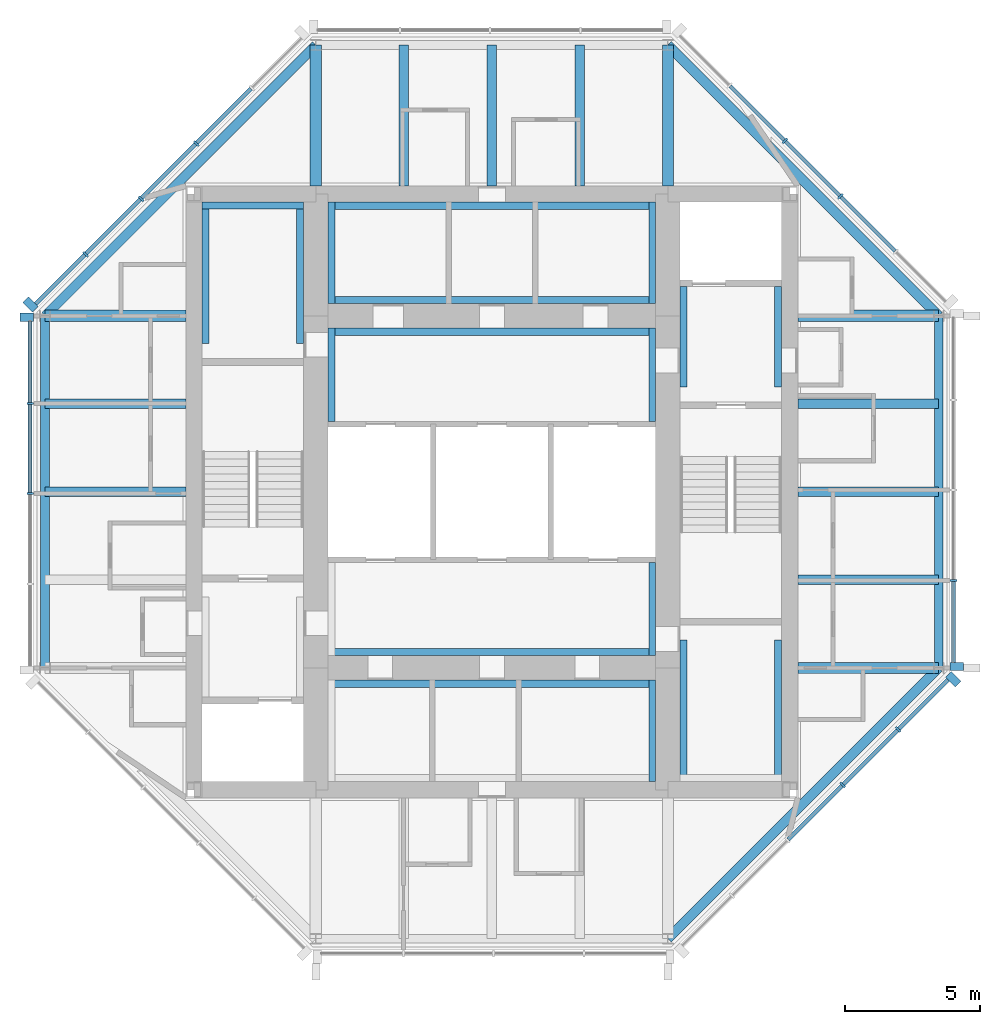
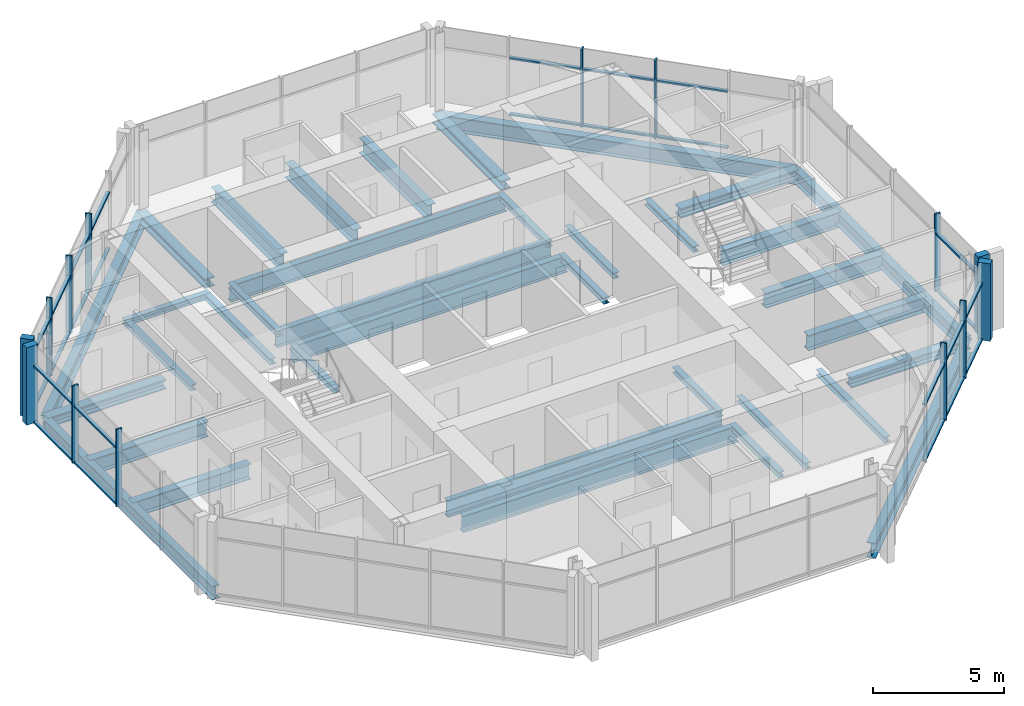
# One storey, part 2 of 9: 40 members, 36 beams, 5 elements without a shape of their own.
"""IFC4 building model written with IfcOpenShell, lengths in metres."""

from ifc_helpers import new_model, si_unit, direction, frame, origin, origin_2d, place, context, subcontext, project, spatial, rectangle, i_section, extrude, material, material_profile, profile_set, type_object, element, aggregate, save


model = new_model("IFC4")

# Units and contexts
model_context = context("Model", 3, precision=1e-05, world=origin(), true_north=direction((0.0, 1.0)))
body_context = subcontext(model_context, "Body", "Model", "MODEL_VIEW")
ifc_project = project(units=[si_unit("LENGTHUNIT", "METRE"), si_unit("AREAUNIT", "SQUARE_METRE"), si_unit("VOLUMEUNIT", "CUBIC_METRE"), si_unit("PLANEANGLEUNIT", "RADIAN"), si_unit("MASSUNIT", "GRAM", prefix="KILO")], contexts=[model_context])

# Site, building, storey
site_placement = place(None, origin())
site = spatial("IfcSite", under=ifc_project, at=site_placement, CompositionType="ELEMENT")
building_placement = place(site_placement, origin())
building = spatial("IfcBuilding", under=site, at=building_placement, Name="Trevanion Tower", CompositionType="ELEMENT")
storey_placement = place(building_placement, frame((0.0, 0.0, 295.60009765625)))
storey = spatial("IfcBuildingStorey", under=building, at=storey_placement, Name="L73", CompositionType="ELEMENT", Elevation=295.60009765625)

# Beams
ifc_material_1 = material(Name="Steel ASTM A992 Grade 50", Category="steel")
ifc_material_profile_1 = material_profile(ifc_material_1, i_section(OverallWidth=0.355712890625, OverallDepth=0.700927734375, WebThickness=0.016845703125, FlangeThickness=0.02734375, at=origin_2d()), Name="W27X161")
ifc_profile_set_1 = profile_set([ifc_material_profile_1], Name="Steel ASTM A992 Grade 50")
beam_type_1 = type_object("IfcBeamType", Name="B15 W27X161", PredefinedType="BEAM", material=ifc_profile_set_1)
for number, where, z_axis, x_axis, name in (
    (1, (11.300048828125, -3.25, -0.54052734375), (1.0, 0.0, 0.0), (0.0, 1.0, 0.0), "B15 L73"),
    (2, (11.300048828125, 0.0, -0.54052734375), (1.0, 0.0, 0.0), (0.0, 1.0, 0.0), "B15 L73"),
    (3, (11.300048828125, 3.25, -0.54052734375), (1.0, 0.0, 0.0), (0.0, 1.0, 0.0), "B15 L73"),
    (4, (3.25, 11.300048828125, -0.54052734375), (0.0, 1.0, 0.0), (-1.0, 0.0, 0.0), "B15 L73"),
    (5, (0.0, 11.300048828125, -0.54052734375), (0.0, 1.0, 0.0), (-1.0, 0.0, 0.0), "B15 L73"),
    (6, (-3.25, 11.300048828125, -0.54052734375), (0.0, 1.0, 0.0), (-1.0, 0.0, 0.0), "B15 L73"),
    (7, (-11.300048828125, 3.25, -0.54052734375), (-1.0, 0.0, 0.0), (0.0, -1.0, 0.0), "B15 L73"),
    (8, (-11.300048828125, 0.0, -0.54052734375), (-1.0, 0.0, 0.0), (0.0, -1.0, 0.0), "B15 L73"),
):
    element("IfcBeam", number, at=place(storey_placement, frame(where, z_axis=z_axis, x_axis=x_axis)), inside=storey, type_object=beam_type_1, Name=name, PredefinedType="BEAM", context=body_context, shape_type="SweptSolid", body=[
        extrude(i_section(OverallWidth=0.355712890625, OverallDepth=0.700927734375, WebThickness=0.016845703125, FlangeThickness=0.02734375, at=origin_2d()), origin(), (0.0, 0.0, 1.0), 5.199951171875),
    ])

# Curtain wall, member
ifc_material_2 = material(Name="Aluminium and glass", Category="aluminium")
curtain_wall_type = type_object("IfcCurtainWallType", Name="CW4 curtain wall", PredefinedType="USERDEFINED", material=ifc_material_2)
curtain_wall_1_placement = place(storey_placement, origin())
curtain_wall_1 = element("IfcCurtainWall", 9, at=curtain_wall_1_placement, inside=storey, type_object=curtain_wall_type, Name="CW4 L73 0", ObjectType="UNITISED CURTAIN WALL", PredefinedType="USERDEFINED")
ifc_material_3 = material(Name="Aluminium extrusion, anodised bronze", Category="aluminium")
ifc_material_profile_2 = material_profile(ifc_material_3, rectangle(XDim=0.074951171875, YDim=0.25, at=origin_2d()), Name="CW4 mullion")
ifc_profile_set_2 = profile_set([ifc_material_profile_2], Name="Aluminium extrusion, anodised bronze")
member_type_1 = type_object("IfcMemberType", Name="CW4 mullion", PredefinedType="MULLION", material=ifc_profile_set_2)
member_1_placement = place(storey_placement, frame((17.050048828125, -3.266357421875, -0.190185546875), z_axis=(0.0, 0.0, 1.0), x_axis=(0.0, 1.0, 0.0)))
member_1 = element("IfcMember", 10, at=member_1_placement, type_object=member_type_1, Name="CW4 mullion 2", PredefinedType="MULLION", context=body_context, shape_type="SweptSolid", body=[
    extrude(rectangle(XDim=0.074951171875, YDim=0.25, at=origin_2d()), origin(), (0.0, 0.0, 1.0), 3.60009765625),
])

# Curtain wall, members
curtain_wall_2_placement = place(storey_placement, origin())
curtain_wall_2 = element("IfcCurtainWall", 11, at=curtain_wall_2_placement, inside=storey, type_object=curtain_wall_type, Name="CW4 L73 1", ObjectType="UNITISED CURTAIN WALL", PredefinedType="USERDEFINED")
member_2_placement = place(storey_placement, frame((12.865966796875, 10.911865234375, -0.190185546875), z_axis=(0.0, 0.0, 1.0), x_axis=(-0.707106781187, 0.707106781187, 0.0)))
member_2 = element("IfcMember", 12, at=member_2_placement, type_object=member_type_1, Name="CW4 mullion 3", PredefinedType="MULLION", context=body_context, shape_type="SweptSolid", body=[
    extrude(rectangle(XDim=0.074951171875, YDim=0.25, at=origin_2d()), origin(), (0.0, 0.0, 1.0), 3.60009765625),
])
member_3_placement = place(storey_placement, frame((10.81982421875, 12.9580078125, -0.190185546875), z_axis=(0.0, 0.0, 1.0), x_axis=(-0.707106781187, 0.707106781187, 0.0)))
member_3 = element("IfcMember", 13, at=member_3_placement, type_object=member_type_1, Name="CW4 mullion 4", PredefinedType="MULLION", context=body_context, shape_type="SweptSolid", body=[
    extrude(rectangle(XDim=0.074951171875, YDim=0.25, at=origin_2d()), origin(), (0.0, 0.0, 1.0), 3.60009765625),
])

curtain_wall_3_placement = place(storey_placement, origin())
curtain_wall_3 = element("IfcCurtainWall", 14, at=curtain_wall_3_placement, inside=storey, type_object=curtain_wall_type, Name="CW4 L73 3", ObjectType="UNITISED CURTAIN WALL", PredefinedType="USERDEFINED")
member_4_placement = place(storey_placement, frame((-10.911865234375, 12.865966796875, -0.190185546875), z_axis=(0.0, 0.0, 1.0), x_axis=(-0.707106781187, -0.707106781187, 0.0)))
member_4 = element("IfcMember", 15, at=member_4_placement, type_object=member_type_1, Name="CW4 mullion 3", PredefinedType="MULLION", context=body_context, shape_type="SweptSolid", body=[
    extrude(rectangle(XDim=0.074951171875, YDim=0.25, at=origin_2d()), origin(), (0.0, 0.0, 1.0), 3.60009765625),
])
member_5_placement = place(storey_placement, frame((-12.9580078125, 10.81982421875, -0.190185546875), z_axis=(0.0, 0.0, 1.0), x_axis=(-0.707106781187, -0.707106781187, 0.0)))
member_5 = element("IfcMember", 16, at=member_5_placement, type_object=member_type_1, Name="CW4 mullion 4", PredefinedType="MULLION", context=body_context, shape_type="SweptSolid", body=[
    extrude(rectangle(XDim=0.074951171875, YDim=0.25, at=origin_2d()), origin(), (0.0, 0.0, 1.0), 3.60009765625),
])
member_6_placement = place(storey_placement, frame((-15.00390625, 8.77392578125, -0.190185546875), z_axis=(0.0, 0.0, 1.0), x_axis=(-0.707106781187, -0.707106781187, 0.0)))
member_6 = element("IfcMember", 17, at=member_6_placement, type_object=member_type_1, Name="CW4 mullion 5", PredefinedType="MULLION", context=body_context, shape_type="SweptSolid", body=[
    extrude(rectangle(XDim=0.074951171875, YDim=0.25, at=origin_2d()), origin(), (0.0, 0.0, 1.0), 3.60009765625),
])

curtain_wall_4_placement = place(storey_placement, origin())
curtain_wall_4 = element("IfcCurtainWall", 18, at=curtain_wall_4_placement, inside=storey, type_object=curtain_wall_type, Name="CW4 L73 4", ObjectType="UNITISED CURTAIN WALL", PredefinedType="USERDEFINED")
member_7_placement = place(storey_placement, frame((-17.050048828125, 3.266357421875, -0.190185546875), z_axis=(0.0, 0.0, 1.0), x_axis=(0.0, -1.0, 0.0)))
member_7 = element("IfcMember", 19, at=member_7_placement, type_object=member_type_1, Name="CW4 mullion 2", PredefinedType="MULLION", context=body_context, shape_type="SweptSolid", body=[
    extrude(rectangle(XDim=0.074951171875, YDim=0.25, at=origin_2d()), origin(), (0.0, 0.0, 1.0), 3.60009765625),
])
member_8_placement = place(storey_placement, frame((-17.050048828125, -0.06494140625, -0.190185546875), z_axis=(0.0, 0.0, 1.0), x_axis=(0.0, -1.0, 0.0)))
member_8 = element("IfcMember", 20, at=member_8_placement, type_object=member_type_1, Name="CW4 mullion 3", PredefinedType="MULLION", context=body_context, shape_type="SweptSolid", body=[
    extrude(rectangle(XDim=0.074951171875, YDim=0.25, at=origin_2d()), origin(), (0.0, 0.0, 1.0), 3.60009765625),
])

curtain_wall_5_placement = place(storey_placement, origin())
curtain_wall_5 = element("IfcCurtainWall", 21, at=curtain_wall_5_placement, inside=storey, type_object=curtain_wall_type, Name="CW4 L73 7", ObjectType="UNITISED CURTAIN WALL", PredefinedType="USERDEFINED")
member_9_placement = place(storey_placement, frame((12.9580078125, -10.81982421875, -0.190185546875), z_axis=(0.0, 0.0, 1.0), x_axis=(0.707106781187, 0.707106781187, 0.0)))
member_9 = element("IfcMember", 22, at=member_9_placement, type_object=member_type_1, Name="CW4 mullion 4", PredefinedType="MULLION", context=body_context, shape_type="SweptSolid", body=[
    extrude(rectangle(XDim=0.074951171875, YDim=0.25, at=origin_2d()), origin(), (0.0, 0.0, 1.0), 3.60009765625),
])
member_10_placement = place(storey_placement, frame((15.00390625, -8.77392578125, -0.190185546875), z_axis=(0.0, 0.0, 1.0), x_axis=(0.707106781187, 0.707106781187, 0.0)))
member_10 = element("IfcMember", 23, at=member_10_placement, type_object=member_type_1, Name="CW4 mullion 5", PredefinedType="MULLION", context=body_context, shape_type="SweptSolid", body=[
    extrude(rectangle(XDim=0.074951171875, YDim=0.25, at=origin_2d()), origin(), (0.0, 0.0, 1.0), 3.60009765625),
])

# Member
ifc_material_4 = material(Name="Aluminium extrusion, anodised bronze", Category="aluminium")
ifc_material_profile_3 = material_profile(ifc_material_4, rectangle(XDim=0.300048828125, YDim=0.5, at=origin_2d()), Name="CW4 pier mullion")
ifc_profile_set_3 = profile_set([ifc_material_profile_3], Name="Aluminium extrusion, anodised bronze")
member_type_2 = type_object("IfcMemberType", Name="CW4 pier mullion", PredefinedType="MULLION", material=ifc_profile_set_3)
member_11_placement = place(storey_placement, frame((17.175048828125, -6.44775390625, -0.190185546875), z_axis=(0.0, 0.0, 1.0), x_axis=(0.0, 1.0, 0.0)))
member_11 = element("IfcMember", 24, at=member_11_placement, type_object=member_type_2, Name="CW4 pier mullion 1", PredefinedType="MULLION", context=body_context, shape_type="SweptSolid", body=[
    extrude(rectangle(XDim=0.300048828125, YDim=0.5, at=origin_2d()), origin(), (0.0, 0.0, 1.0), 3.60009765625),
])

member_12_placement = place(storey_placement, frame((-17.0322265625, 6.92236328125, -0.190185546875), z_axis=(0.0, 0.0, 1.0), x_axis=(-0.707106781187, -0.707106781187, 0.0)))
member_12 = element("IfcMember", 25, at=member_12_placement, type_object=member_type_2, Name="CW4 pier mullion 6", PredefinedType="MULLION", context=body_context, shape_type="SweptSolid", body=[
    extrude(rectangle(XDim=0.300048828125, YDim=0.5, at=origin_2d()), origin(), (0.0, 0.0, 1.0), 3.60009765625),
])

member_13_placement = place(storey_placement, frame((-17.175048828125, 6.44775390625, -0.190185546875), z_axis=(0.0, 0.0, 1.0), x_axis=(0.0, -1.0, 0.0)))
member_13 = element("IfcMember", 26, at=member_13_placement, type_object=member_type_2, Name="CW4 pier mullion 1", PredefinedType="MULLION", context=body_context, shape_type="SweptSolid", body=[
    extrude(rectangle(XDim=0.300048828125, YDim=0.5, at=origin_2d()), origin(), (0.0, 0.0, 1.0), 3.60009765625),
])

member_14_placement = place(storey_placement, frame((17.0322265625, -6.92236328125, -0.190185546875), z_axis=(0.0, 0.0, 1.0), x_axis=(0.707106781187, 0.707106781187, 0.0)))
member_14 = element("IfcMember", 27, at=member_14_placement, type_object=member_type_2, Name="CW4 pier mullion 6", PredefinedType="MULLION", context=body_context, shape_type="SweptSolid", body=[
    extrude(rectangle(XDim=0.300048828125, YDim=0.5, at=origin_2d()), origin(), (0.0, 0.0, 1.0), 3.60009765625),
])

ifc_material_5 = material(Name="Aluminium extrusion, anodised bronze", Category="aluminium")
ifc_material_profile_4 = material_profile(ifc_material_5, rectangle(XDim=0.14990234375, YDim=0.074951171875, at=origin_2d()), Name="CW4 transom")
ifc_profile_set_4 = profile_set([ifc_material_profile_4], Name="Aluminium extrusion, anodised bronze")
member_type_3 = type_object("IfcMemberType", Name="CW4 transom", PredefinedType="USERDEFINED", material=ifc_profile_set_4)
member_15_placement = place(storey_placement, frame((17.050048828125, -6.2978515625, -0.152587890625), z_axis=(0.0, 1.0, 0.0), x_axis=(-1.0, 0.0, 0.0)))
member_15 = element("IfcMember", 28, at=member_15_placement, type_object=member_type_3, Name="CW4 transom 1.1", ObjectType="TRANSOM", PredefinedType="USERDEFINED", context=body_context, shape_type="SweptSolid", body=[
    extrude(rectangle(XDim=0.14990234375, YDim=0.074951171875, at=origin_2d()), origin(), (0.0, 0.0, 1.0), 2.993896484375),
])

member_16_placement = place(storey_placement, frame((17.050048828125, -6.2978515625, 2.4599609375), z_axis=(0.0, 1.0, 0.0), x_axis=(-1.0, 0.0, 0.0)))
member_16 = element("IfcMember", 29, at=member_16_placement, type_object=member_type_3, Name="CW4 transom 1.2", ObjectType="TRANSOM", PredefinedType="USERDEFINED", context=body_context, shape_type="SweptSolid", body=[
    extrude(rectangle(XDim=0.14990234375, YDim=0.074951171875, at=origin_2d()), origin(), (0.0, 0.0, 1.0), 2.993896484375),
])

aggregate(curtain_wall_1, [member_11, member_1, member_15, member_16])

member_17_placement = place(storey_placement, frame((14.885498046875, 8.892333984375, -0.152587890625), z_axis=(-0.707106781187, 0.707106781187, 0.0), x_axis=(-0.707106781187, -0.707106781187, 0.0)))
member_17 = element("IfcMember", 30, at=member_17_placement, type_object=member_type_3, Name="CW4 transom 2.1", ObjectType="TRANSOM", PredefinedType="USERDEFINED", context=body_context, shape_type="SweptSolid", body=[
    extrude(rectangle(XDim=0.14990234375, YDim=0.074951171875, at=origin_2d()), origin(), (0.0, 0.0, 1.0), 2.818359375),
])

member_18_placement = place(storey_placement, frame((14.885498046875, 8.892333984375, 2.4599609375), z_axis=(-0.707106781187, 0.707106781187, 0.0), x_axis=(-0.707106781187, -0.707106781187, 0.0)))
member_18 = element("IfcMember", 31, at=member_18_placement, type_object=member_type_3, Name="CW4 transom 2.2", ObjectType="TRANSOM", PredefinedType="USERDEFINED", context=body_context, shape_type="SweptSolid", body=[
    extrude(rectangle(XDim=0.14990234375, YDim=0.074951171875, at=origin_2d()), origin(), (0.0, 0.0, 1.0), 2.818359375),
])

member_19_placement = place(storey_placement, frame((12.839599609375, 10.9384765625, -0.152587890625), z_axis=(-0.707150088905, 0.707063470815, 0.0), x_axis=(-0.707063470815, -0.707150088905, 0.0)))
member_19 = element("IfcMember", 32, at=member_19_placement, type_object=member_type_3, Name="CW4 transom 3.1", ObjectType="TRANSOM", PredefinedType="USERDEFINED", context=body_context, shape_type="SweptSolid", body=[
    extrude(rectangle(XDim=0.14990234375, YDim=0.074951171875, at=origin_2d()), origin(), (0.0, 0.0, 1.0), 2.818603515625),
])

member_20_placement = place(storey_placement, frame((12.839599609375, 10.9384765625, 2.4599609375), z_axis=(-0.707150088905, 0.707063470815, 0.0), x_axis=(-0.707063470815, -0.707150088905, 0.0)))
member_20 = element("IfcMember", 33, at=member_20_placement, type_object=member_type_3, Name="CW4 transom 3.2", ObjectType="TRANSOM", PredefinedType="USERDEFINED", context=body_context, shape_type="SweptSolid", body=[
    extrude(rectangle(XDim=0.14990234375, YDim=0.074951171875, at=origin_2d()), origin(), (0.0, 0.0, 1.0), 2.818603515625),
])

member_21_placement = place(storey_placement, frame((10.79345703125, 12.984375, -0.152587890625), z_axis=(-0.707150088905, 0.707063470815, 0.0), x_axis=(-0.707063470815, -0.707150088905, 0.0)))
member_21 = element("IfcMember", 34, at=member_21_placement, type_object=member_type_3, Name="CW4 transom 4.1", ObjectType="TRANSOM", PredefinedType="USERDEFINED", context=body_context, shape_type="SweptSolid", body=[
    extrude(rectangle(XDim=0.14990234375, YDim=0.074951171875, at=origin_2d()), origin(), (0.0, 0.0, 1.0), 2.818603515625),
])

member_22_placement = place(storey_placement, frame((10.79345703125, 12.984375, 2.4599609375), z_axis=(-0.707150088905, 0.707063470815, 0.0), x_axis=(-0.707063470815, -0.707150088905, 0.0)))
member_22 = element("IfcMember", 35, at=member_22_placement, type_object=member_type_3, Name="CW4 transom 4.2", ObjectType="TRANSOM", PredefinedType="USERDEFINED", context=body_context, shape_type="SweptSolid", body=[
    extrude(rectangle(XDim=0.14990234375, YDim=0.074951171875, at=origin_2d()), origin(), (0.0, 0.0, 1.0), 2.818603515625),
])

aggregate(curtain_wall_2, [member_2, member_3, member_17, member_18, member_19, member_20, member_21, member_22])

member_23_placement = place(storey_placement, frame((-8.892333984375, 14.885498046875, -0.152587890625), z_axis=(-0.707106781187, -0.707106781187, 0.0), x_axis=(0.707106781187, -0.707106781187, 0.0)))
member_23 = element("IfcMember", 36, at=member_23_placement, type_object=member_type_3, Name="CW4 transom 2.1", ObjectType="TRANSOM", PredefinedType="USERDEFINED", context=body_context, shape_type="SweptSolid", body=[
    extrude(rectangle(XDim=0.14990234375, YDim=0.074951171875, at=origin_2d()), origin(), (0.0, 0.0, 1.0), 2.818359375),
])

member_24_placement = place(storey_placement, frame((-8.892333984375, 14.885498046875, 2.4599609375), z_axis=(-0.707106781187, -0.707106781187, 0.0), x_axis=(0.707106781187, -0.707106781187, 0.0)))
member_24 = element("IfcMember", 37, at=member_24_placement, type_object=member_type_3, Name="CW4 transom 2.2", ObjectType="TRANSOM", PredefinedType="USERDEFINED", context=body_context, shape_type="SweptSolid", body=[
    extrude(rectangle(XDim=0.14990234375, YDim=0.074951171875, at=origin_2d()), origin(), (0.0, 0.0, 1.0), 2.818359375),
])

member_25_placement = place(storey_placement, frame((-10.9384765625, 12.839599609375, -0.152587890625), z_axis=(-0.707063470815, -0.707150088905, 0.0), x_axis=(0.707150088905, -0.707063470815, 0.0)))
member_25 = element("IfcMember", 38, at=member_25_placement, type_object=member_type_3, Name="CW4 transom 3.1", ObjectType="TRANSOM", PredefinedType="USERDEFINED", context=body_context, shape_type="SweptSolid", body=[
    extrude(rectangle(XDim=0.14990234375, YDim=0.074951171875, at=origin_2d()), origin(), (0.0, 0.0, 1.0), 2.818603515625),
])

member_26_placement = place(storey_placement, frame((-10.9384765625, 12.839599609375, 2.4599609375), z_axis=(-0.707063470815, -0.707150088905, 0.0), x_axis=(0.707150088905, -0.707063470815, 0.0)))
member_26 = element("IfcMember", 39, at=member_26_placement, type_object=member_type_3, Name="CW4 transom 3.2", ObjectType="TRANSOM", PredefinedType="USERDEFINED", context=body_context, shape_type="SweptSolid", body=[
    extrude(rectangle(XDim=0.14990234375, YDim=0.074951171875, at=origin_2d()), origin(), (0.0, 0.0, 1.0), 2.818603515625),
])

member_27_placement = place(storey_placement, frame((-12.984375, 10.79345703125, -0.152587890625), z_axis=(-0.707063470815, -0.707150088905, 0.0), x_axis=(0.707150088905, -0.707063470815, 0.0)))
member_27 = element("IfcMember", 40, at=member_27_placement, type_object=member_type_3, Name="CW4 transom 4.1", ObjectType="TRANSOM", PredefinedType="USERDEFINED", context=body_context, shape_type="SweptSolid", body=[
    extrude(rectangle(XDim=0.14990234375, YDim=0.074951171875, at=origin_2d()), origin(), (0.0, 0.0, 1.0), 2.818603515625),
])

member_28_placement = place(storey_placement, frame((-12.984375, 10.79345703125, 2.4599609375), z_axis=(-0.707063470815, -0.707150088905, 0.0), x_axis=(0.707150088905, -0.707063470815, 0.0)))
member_28 = element("IfcMember", 41, at=member_28_placement, type_object=member_type_3, Name="CW4 transom 4.2", ObjectType="TRANSOM", PredefinedType="USERDEFINED", context=body_context, shape_type="SweptSolid", body=[
    extrude(rectangle(XDim=0.14990234375, YDim=0.074951171875, at=origin_2d()), origin(), (0.0, 0.0, 1.0), 2.818603515625),
])

member_29_placement = place(storey_placement, frame((-15.030517578125, 8.747314453125, -0.152587890625), z_axis=(-0.707106781187, -0.707106781187, 0.0), x_axis=(0.707106781187, -0.707106781187, 0.0)))
member_29 = element("IfcMember", 42, at=member_29_placement, type_object=member_type_3, Name="CW4 transom 5.1", ObjectType="TRANSOM", PredefinedType="USERDEFINED", context=body_context, shape_type="SweptSolid", body=[
    extrude(rectangle(XDim=0.14990234375, YDim=0.074951171875, at=origin_2d()), origin(), (0.0, 0.0, 1.0), 2.555908203125),
])

member_30_placement = place(storey_placement, frame((-15.030517578125, 8.747314453125, 2.4599609375), z_axis=(-0.707106781187, -0.707106781187, 0.0), x_axis=(0.707106781187, -0.707106781187, 0.0)))
member_30 = element("IfcMember", 43, at=member_30_placement, type_object=member_type_3, Name="CW4 transom 5.2", ObjectType="TRANSOM", PredefinedType="USERDEFINED", context=body_context, shape_type="SweptSolid", body=[
    extrude(rectangle(XDim=0.14990234375, YDim=0.074951171875, at=origin_2d()), origin(), (0.0, 0.0, 1.0), 2.555908203125),
])

aggregate(curtain_wall_3, [member_4, member_5, member_6, member_12, member_23, member_24, member_25, member_26, member_27, member_28, member_29, member_30])

member_31_placement = place(storey_placement, frame((-17.050048828125, 6.2978515625, -0.152587890625), z_axis=(0.0, -1.0, 0.0), x_axis=(1.0, 0.0, 0.0)))
member_31 = element("IfcMember", 44, at=member_31_placement, type_object=member_type_3, Name="CW4 transom 1.1", ObjectType="TRANSOM", PredefinedType="USERDEFINED", context=body_context, shape_type="SweptSolid", body=[
    extrude(rectangle(XDim=0.14990234375, YDim=0.074951171875, at=origin_2d()), origin(), (0.0, 0.0, 1.0), 2.993896484375),
])

member_32_placement = place(storey_placement, frame((-17.050048828125, 6.2978515625, 2.4599609375), z_axis=(0.0, -1.0, 0.0), x_axis=(1.0, 0.0, 0.0)))
member_32 = element("IfcMember", 45, at=member_32_placement, type_object=member_type_3, Name="CW4 transom 1.2", ObjectType="TRANSOM", PredefinedType="USERDEFINED", context=body_context, shape_type="SweptSolid", body=[
    extrude(rectangle(XDim=0.14990234375, YDim=0.074951171875, at=origin_2d()), origin(), (0.0, 0.0, 1.0), 2.993896484375),
])

member_33_placement = place(storey_placement, frame((-17.050048828125, 3.22900390625, -0.152587890625), z_axis=(0.0, -1.0, 0.0), x_axis=(1.0, 0.0, 0.0)))
member_33 = element("IfcMember", 46, at=member_33_placement, type_object=member_type_3, Name="CW4 transom 2.1", ObjectType="TRANSOM", PredefinedType="USERDEFINED", context=body_context, shape_type="SweptSolid", body=[
    extrude(rectangle(XDim=0.14990234375, YDim=0.074951171875, at=origin_2d()), origin(), (0.0, 0.0, 1.0), 3.256591796875),
])

member_34_placement = place(storey_placement, frame((-17.050048828125, 3.22900390625, 2.4599609375), z_axis=(0.0, -1.0, 0.0), x_axis=(1.0, 0.0, 0.0)))
member_34 = element("IfcMember", 47, at=member_34_placement, type_object=member_type_3, Name="CW4 transom 2.2", ObjectType="TRANSOM", PredefinedType="USERDEFINED", context=body_context, shape_type="SweptSolid", body=[
    extrude(rectangle(XDim=0.14990234375, YDim=0.074951171875, at=origin_2d()), origin(), (0.0, 0.0, 1.0), 3.256591796875),
])

aggregate(curtain_wall_4, [member_13, member_7, member_8, member_31, member_32, member_33, member_34])

member_35_placement = place(storey_placement, frame((10.9384765625, -12.839599609375, -0.152587890625), z_axis=(0.707063470815, 0.707150088905, 0.0), x_axis=(-0.707150088905, 0.707063470815, 0.0)))
member_35 = element("IfcMember", 48, at=member_35_placement, type_object=member_type_3, Name="CW4 transom 3.1", ObjectType="TRANSOM", PredefinedType="USERDEFINED", context=body_context, shape_type="SweptSolid", body=[
    extrude(rectangle(XDim=0.14990234375, YDim=0.074951171875, at=origin_2d()), origin(), (0.0, 0.0, 1.0), 2.818603515625),
])

member_36_placement = place(storey_placement, frame((10.9384765625, -12.839599609375, 2.4599609375), z_axis=(0.707063470815, 0.707150088905, 0.0), x_axis=(-0.707150088905, 0.707063470815, 0.0)))
member_36 = element("IfcMember", 49, at=member_36_placement, type_object=member_type_3, Name="CW4 transom 3.2", ObjectType="TRANSOM", PredefinedType="USERDEFINED", context=body_context, shape_type="SweptSolid", body=[
    extrude(rectangle(XDim=0.14990234375, YDim=0.074951171875, at=origin_2d()), origin(), (0.0, 0.0, 1.0), 2.818603515625),
])

member_37_placement = place(storey_placement, frame((12.984375, -10.79345703125, -0.152587890625), z_axis=(0.707063470815, 0.707150088905, 0.0), x_axis=(-0.707150088905, 0.707063470815, 0.0)))
member_37 = element("IfcMember", 50, at=member_37_placement, type_object=member_type_3, Name="CW4 transom 4.1", ObjectType="TRANSOM", PredefinedType="USERDEFINED", context=body_context, shape_type="SweptSolid", body=[
    extrude(rectangle(XDim=0.14990234375, YDim=0.074951171875, at=origin_2d()), origin(), (0.0, 0.0, 1.0), 2.818603515625),
])

member_38_placement = place(storey_placement, frame((12.984375, -10.79345703125, 2.4599609375), z_axis=(0.707063470815, 0.707150088905, 0.0), x_axis=(-0.707150088905, 0.707063470815, 0.0)))
member_38 = element("IfcMember", 51, at=member_38_placement, type_object=member_type_3, Name="CW4 transom 4.2", ObjectType="TRANSOM", PredefinedType="USERDEFINED", context=body_context, shape_type="SweptSolid", body=[
    extrude(rectangle(XDim=0.14990234375, YDim=0.074951171875, at=origin_2d()), origin(), (0.0, 0.0, 1.0), 2.818603515625),
])

member_39_placement = place(storey_placement, frame((15.030517578125, -8.747314453125, -0.152587890625), z_axis=(0.707106781187, 0.707106781187, 0.0), x_axis=(-0.707106781187, 0.707106781187, 0.0)))
member_39 = element("IfcMember", 52, at=member_39_placement, type_object=member_type_3, Name="CW4 transom 5.1", ObjectType="TRANSOM", PredefinedType="USERDEFINED", context=body_context, shape_type="SweptSolid", body=[
    extrude(rectangle(XDim=0.14990234375, YDim=0.074951171875, at=origin_2d()), origin(), (0.0, 0.0, 1.0), 2.555908203125),
])

member_40_placement = place(storey_placement, frame((15.030517578125, -8.747314453125, 2.4599609375), z_axis=(0.707106781187, 0.707106781187, 0.0), x_axis=(-0.707106781187, 0.707106781187, 0.0)))
member_40 = element("IfcMember", 53, at=member_40_placement, type_object=member_type_3, Name="CW4 transom 5.2", ObjectType="TRANSOM", PredefinedType="USERDEFINED", context=body_context, shape_type="SweptSolid", body=[
    extrude(rectangle(XDim=0.14990234375, YDim=0.074951171875, at=origin_2d()), origin(), (0.0, 0.0, 1.0), 2.555908203125),
])

aggregate(curtain_wall_5, [member_9, member_10, member_14, member_35, member_36, member_37, member_38, member_39, member_40])

# Beams
ifc_material_6 = material(Name="Steel ASTM A992 Grade 50", Category="steel")
ifc_material_profile_5 = material_profile(ifc_material_6, i_section(OverallWidth=0.41650390625, OverallDepth=0.444580078125, WebThickness=0.0390625, FlangeThickness=0.062744140625, at=origin_2d()), Name="W14X342")
ifc_profile_set_5 = profile_set([ifc_material_profile_5], Name="Steel ASTM A992 Grade 50")
beam_type_2 = type_object("IfcBeamType", Name="G8 W14X342", PredefinedType="BEAM", material=ifc_profile_set_5)
for number, where, z_axis, x_axis, name in (
    (54, (11.300048828125, -6.5, -0.412353515625), (1.0, 0.0, 0.0), (0.0, 1.0, 0.0), "G8 L73"),
    (55, (11.300048828125, 6.5, -0.412353515625), (1.0, 0.0, 0.0), (0.0, 1.0, 0.0), "G8 L73"),
    (56, (6.5, 11.300048828125, -0.412353515625), (0.0, 1.0, 0.0), (-1.0, 0.0, 0.0), "G8 L73"),
    (57, (-6.5, 11.300048828125, -0.412353515625), (0.0, 1.0, 0.0), (-1.0, 0.0, 0.0), "G8 L73"),
    (58, (-11.300048828125, 6.5, -0.412353515625), (-1.0, 0.0, 0.0), (0.0, -1.0, 0.0), "G8 L73"),
):
    element("IfcBeam", number, at=place(storey_placement, frame(where, z_axis=z_axis, x_axis=x_axis)), inside=storey, type_object=beam_type_2, Name=name, PredefinedType="BEAM", context=body_context, shape_type="SweptSolid", body=[
        extrude(i_section(OverallWidth=0.41650390625, OverallDepth=0.444580078125, WebThickness=0.0390625, FlangeThickness=0.062744140625, at=origin_2d()), origin(), (0.0, 0.0, 1.0), 5.199951171875),
    ])
ifc_material_7 = material(Name="Steel ASTM A992 Grade 50", Category="steel")
ifc_material_profile_6 = material_profile(ifc_material_7, i_section(OverallWidth=0.256591796875, OverallDepth=0.26416015625, WebThickness=0.011962890625, FlangeThickness=0.01953125, at=origin_2d()), Name="W10X68")
ifc_profile_set_6 = profile_set([ifc_material_profile_6], Name="Steel ASTM A992 Grade 50")
beam_type_3 = type_object("IfcBeamType", Name="LB1 W10X68", PredefinedType="BEAM", material=ifc_profile_set_6)
for number, where, z_axis, x_axis, name in (
    (59, (-5.921630859375, 2.60009765625, -0.332275390625), (0.0, 1.0, 0.0), (-1.0, 0.0, 0.0), "LB1 L73"),
    (60, (5.921630859375, 2.60009765625, -0.332275390625), (0.0, 1.0, 0.0), (-1.0, 0.0, 0.0), "LB1 L73"),
    (61, (5.921630859375, -6.050048828125, -0.332275390625), (0.0, 1.0, 0.0), (-1.0, 0.0, 0.0), "LB1 L73"),
):
    element("IfcBeam", number, at=place(storey_placement, frame(where, z_axis=z_axis, x_axis=x_axis)), inside=storey, type_object=beam_type_3, Name=name, PredefinedType="BEAM", context=body_context, shape_type="SweptSolid", body=[
        extrude(i_section(OverallWidth=0.256591796875, OverallDepth=0.26416015625, WebThickness=0.011962890625, FlangeThickness=0.01953125, at=origin_2d()), origin(), (0.0, 0.0, 1.0), 3.449951171875),
    ])
for number, where, z_axis, x_axis, name in (
    (62, (7.078369140625, 3.875, -0.332275390625), (0.0, 1.0, 0.0), (-1.0, 0.0, 0.0), "LB1 L73"),
    (63, (10.57177734375, 3.875, -0.332275390625), (0.0, 1.0, 0.0), (-1.0, 0.0, 0.0), "LB1 L73"),
):
    element("IfcBeam", number, at=place(storey_placement, frame(where, z_axis=z_axis, x_axis=x_axis)), inside=storey, type_object=beam_type_3, Name=name, PredefinedType="BEAM", context=body_context, shape_type="SweptSolid", body=[
        extrude(i_section(OverallWidth=0.256591796875, OverallDepth=0.26416015625, WebThickness=0.011962890625, FlangeThickness=0.01953125, at=origin_2d()), origin(), (0.0, 0.0, 1.0), 3.699951171875),
    ])
for number, where, z_axis, x_axis, name in (
    (64, (7.078369140625, -10.699951171875, -0.332275390625), (0.0, 1.0, 0.0), (-1.0, 0.0, 0.0), "LB1 L73"),
    (65, (10.57177734375, -10.699951171875, -0.332275390625), (0.0, 1.0, 0.0), (-1.0, 0.0, 0.0), "LB1 L73"),
    (66, (-10.57177734375, 5.47509765625, -0.332275390625), (0.0, 1.0, 0.0), (-1.0, 0.0, 0.0), "LB1 L73"),
    (67, (-7.078369140625, 5.47509765625, -0.332275390625), (0.0, 1.0, 0.0), (-1.0, 0.0, 0.0), "LB1 L73"),
):
    element("IfcBeam", number, at=place(storey_placement, frame(where, z_axis=z_axis, x_axis=x_axis)), inside=storey, type_object=beam_type_3, Name=name, PredefinedType="BEAM", context=body_context, shape_type="SweptSolid", body=[
        extrude(i_section(OverallWidth=0.256591796875, OverallDepth=0.26416015625, WebThickness=0.011962890625, FlangeThickness=0.01953125, at=origin_2d()), origin(), (0.0, 0.0, 1.0), 5.224853515625),
    ])
for number, where, z_axis, x_axis, name in (
    (68, (-10.699951171875, 10.57177734375, -0.332275390625), (1.0, 0.0, 0.0), (0.0, 1.0, 0.0), "LB1 L73"),
    (69, (-5.921630859375, 6.949951171875, -0.332275390625), (0.0, 1.0, 0.0), (-1.0, 0.0, 0.0), "LB1 L73"),
    (70, (5.921630859375, 6.949951171875, -0.332275390625), (0.0, 1.0, 0.0), (-1.0, 0.0, 0.0), "LB1 L73"),
    (71, (5.921630859375, -10.699951171875, -0.332275390625), (0.0, 1.0, 0.0), (-1.0, 0.0, 0.0), "LB1 L73"),
):
    element("IfcBeam", number, at=place(storey_placement, frame(where, z_axis=z_axis, x_axis=x_axis)), inside=storey, type_object=beam_type_3, Name=name, PredefinedType="BEAM", context=body_context, shape_type="SweptSolid", body=[
        extrude(i_section(OverallWidth=0.256591796875, OverallDepth=0.26416015625, WebThickness=0.011962890625, FlangeThickness=0.01953125, at=origin_2d()), origin(), (0.0, 0.0, 1.0), 3.75),
    ])
ifc_material_8 = material(Name="Steel ASTM A992 Grade 50", Category="steel")
ifc_material_profile_7 = material_profile(ifc_material_8, i_section(OverallWidth=0.2666015625, OverallDepth=0.76953125, WebThickness=0.015625, FlangeThickness=0.025390625, at=origin_2d()), Name="W30X132")
ifc_profile_set_7 = profile_set([ifc_material_profile_7], Name="Steel ASTM A992 Grade 50")
beam_type_4 = type_object("IfcBeamType", Name="LB3 W30X132", PredefinedType="BEAM", material=ifc_profile_set_7)
for number, where, z_axis, x_axis, name in (
    (72, (-6.050048828125, 5.91650390625, -0.5849609375), (1.0, 0.0, 0.0), (0.0, 1.0, 0.0), "LB3 L73"),
    (73, (-6.050048828125, -5.91650390625, -0.5849609375), (1.0, 0.0, 0.0), (0.0, 1.0, 0.0), "LB3 L73"),
    (74, (-6.050048828125, 7.08349609375, -0.5849609375), (1.0, 0.0, 0.0), (0.0, 1.0, 0.0), "LB3 L73"),
    (75, (-6.050048828125, 10.566650390625, -0.5849609375), (1.0, 0.0, 0.0), (0.0, 1.0, 0.0), "LB3 L73"),
    (76, (-6.050048828125, -7.08349609375, -0.5849609375), (1.0, 0.0, 0.0), (0.0, 1.0, 0.0), "LB3 L73"),
):
    element("IfcBeam", number, at=place(storey_placement, frame(where, z_axis=z_axis, x_axis=x_axis)), inside=storey, type_object=beam_type_4, Name=name, PredefinedType="BEAM", context=body_context, shape_type="SweptSolid", body=[
        extrude(i_section(OverallWidth=0.2666015625, OverallDepth=0.76953125, WebThickness=0.015625, FlangeThickness=0.025390625, at=origin_2d()), origin(), (0.0, 0.0, 1.0), 12.10009765625),
    ])
ifc_material_9 = material(Name="Steel ASTM A992 Grade 50", Category="steel")
ifc_material_profile_8 = material_profile(ifc_material_9, i_section(OverallWidth=0.32763671875, OverallDepth=0.622314453125, WebThickness=0.015380859375, FlangeThickness=0.0244140625, at=origin_2d()), Name="W24X131")
ifc_profile_set_8 = profile_set([ifc_material_profile_8], Name="Steel ASTM A992 Grade 50")
beam_type_5 = type_object("IfcBeamType", Name="SB12 W24X131", PredefinedType="SPANDREL", material=ifc_profile_set_8)
for number, where, z_axis, x_axis, name in (
    (77, (16.5, -6.5, -0.501220703125), (0.0, 1.0, 0.0), (-1.0, 0.0, 0.0), "SB12 L73"),
    (78, (-16.5, 6.5, -0.501220703125), (0.0, -1.0, 0.0), (1.0, 0.0, 0.0), "SB12 L73"),
):
    element("IfcBeam", number, at=place(storey_placement, frame(where, z_axis=z_axis, x_axis=x_axis)), inside=storey, type_object=beam_type_5, Name=name, PredefinedType="SPANDREL", context=body_context, shape_type="SweptSolid", body=[
        extrude(i_section(OverallWidth=0.32763671875, OverallDepth=0.622314453125, WebThickness=0.015380859375, FlangeThickness=0.0244140625, at=origin_2d()), origin(), (0.0, 0.0, 1.0), 13.0),
    ])
ifc_material_10 = material(Name="Steel ASTM A992 Grade 50", Category="steel")
ifc_material_profile_9 = material_profile(ifc_material_10, i_section(OverallWidth=0.358154296875, OverallDepth=0.7060546875, WebThickness=0.018310546875, FlangeThickness=0.0302734375, at=origin_2d()), Name="W27X178")
ifc_profile_set_9 = profile_set([ifc_material_profile_9], Name="Steel ASTM A992 Grade 50")
beam_type_6 = type_object("IfcBeamType", Name="SB13 W27X178", PredefinedType="SPANDREL", material=ifc_profile_set_9)
for number, where, z_axis, x_axis, name in (
    (79, (16.5, 6.5, -0.543212890625), (-0.707106781187, 0.707106781187, 0.0), (-0.707106781187, -0.707106781187, 0.0), "SB13 L73"),
    (80, (-6.5, 16.5, -0.543212890625), (-0.707106781187, -0.707106781187, 0.0), (0.707106781187, -0.707106781187, 0.0), "SB13 L73"),
    (81, (6.5, -16.5, -0.543212890625), (0.707106781187, 0.707106781187, 0.0), (-0.707106781187, 0.707106781187, 0.0), "SB13 L73"),
):
    element("IfcBeam", number, at=place(storey_placement, frame(where, z_axis=z_axis, x_axis=x_axis)), inside=storey, type_object=beam_type_6, Name=name, PredefinedType="SPANDREL", context=body_context, shape_type="SweptSolid", body=[
        extrude(i_section(OverallWidth=0.358154296875, OverallDepth=0.7060546875, WebThickness=0.018310546875, FlangeThickness=0.0302734375, at=origin_2d()), origin(), (0.0, 0.0, 1.0), 14.14208984375),
    ])

save(model, "model.ifc")
